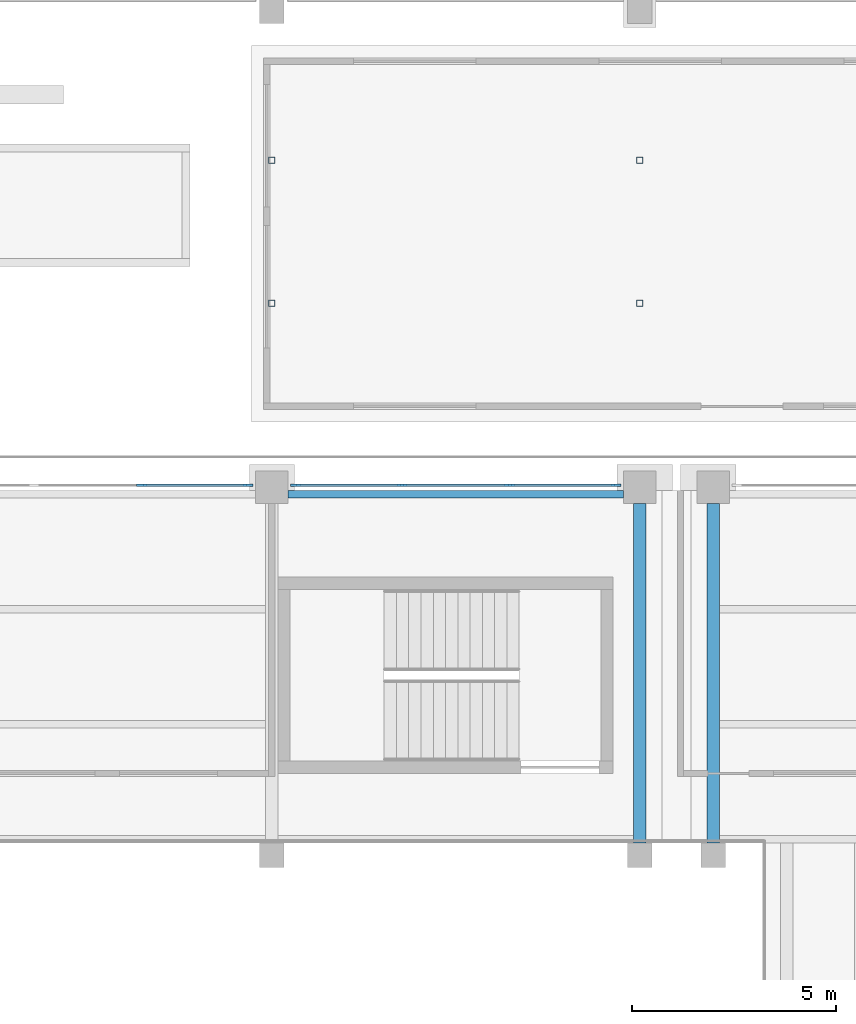
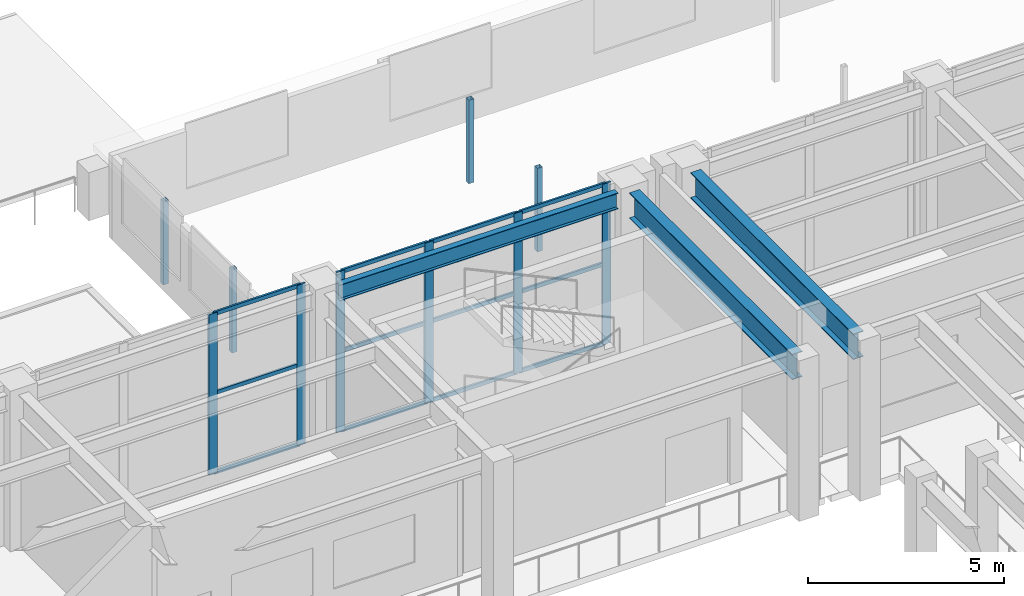
# One storey, part 18 of 67: 22 members, 3 beams, 2 elements without a shape of their own.
"""IFC4 building model written with IfcOpenShell, lengths in metres."""

from ifc_helpers import new_model, si_unit, direction, frame, origin, origin_2d, place, context, subcontext, project, spatial, rectangle, hollow_rectangle, i_section, extrude, material, material_profile, profile_set, type_object, element, aggregate, save


model = new_model("IFC4")

# Units and contexts
model_context = context("Model", 3, precision=1e-05, world=origin(), true_north=direction((0.0, 1.0)))
body_context = subcontext(model_context, "Body", "Model", "MODEL_VIEW")
ifc_project = project(units=[si_unit("LENGTHUNIT", "METRE"), si_unit("AREAUNIT", "SQUARE_METRE"), si_unit("VOLUMEUNIT", "CUBIC_METRE"), si_unit("PLANEANGLEUNIT", "RADIAN"), si_unit("MASSUNIT", "GRAM", prefix="KILO")], contexts=[model_context])

# Site, building, storey
site_placement = place(None, origin())
site = spatial("IfcSite", under=ifc_project, at=site_placement, CompositionType="ELEMENT")
building_placement = place(site_placement, origin())
building = spatial("IfcBuilding", under=site, at=building_placement, Name="Aravalli Gate Trade Fair Centre", CompositionType="ELEMENT")
storey_placement = place(building_placement, frame((0.0, 0.0, 5.0)))
storey = spatial("IfcBuildingStorey", under=building, at=storey_placement, Name="L01", CompositionType="ELEMENT", Elevation=5.0)

# Curtain wall, members
ifc_material_1 = material(Name="Aluminium and glass", Category="aluminium")
curtain_wall_type = type_object("IfcCurtainWallType", Name="Curtain wall 3000 module, tall", PredefinedType="NOTDEFINED", material=ifc_material_1)
curtain_wall_1_placement = place(storey_placement, origin())
curtain_wall_1 = element("IfcCurtainWall", 1, at=curtain_wall_1_placement, inside=storey, type_object=curtain_wall_type, Name="Curtain wall north bay 10 L01", PredefinedType="NOTDEFINED")
ifc_material_2 = material(Name="Aluminium", Category="aluminium")
ifc_material_profile_1 = material_profile(ifc_material_2, rectangle(XDim=0.06005859375, YDim=0.25, at=origin_2d()), Name="Concourse curtain wall mullion 60 x 250")
ifc_profile_set_1 = profile_set([ifc_material_profile_1], Name="Aluminium")
member_type_1 = type_object("IfcMemberType", Name="Concourse curtain wall mullion 60 x 250", PredefinedType="MULLION", material=ifc_profile_set_1)
member_1_placement = place(storey_placement, frame((92.816650390625, 133.044921875, 0.0), z_axis=(0.0, 0.0, 1.0), x_axis=(0.0, 1.0, 0.0)))
member_1 = element("IfcMember", 2, at=member_1_placement, type_object=member_type_1, Name="CW3 mullion 3", PredefinedType="MULLION", context=body_context, shape_type="SweptSolid", body=[
    extrude(rectangle(XDim=0.06005859375, YDim=0.25, at=origin_2d()), origin(), (0.0, 0.0, 1.0), 5.0),
])
member_2_placement = place(storey_placement, frame((95.419921875, 133.044921875, 0.0), z_axis=(0.0, 0.0, 1.0), x_axis=(0.0, 1.0, 0.0)))
member_2 = element("IfcMember", 3, at=member_2_placement, type_object=member_type_1, Name="CW3 mullion 4", PredefinedType="MULLION", context=body_context, shape_type="SweptSolid", body=[
    extrude(rectangle(XDim=0.06005859375, YDim=0.25, at=origin_2d()), origin(), (0.0, 0.0, 1.0), 5.0),
])

curtain_wall_2_placement = place(storey_placement, origin())
curtain_wall_2 = element("IfcCurtainWall", 4, at=curtain_wall_2_placement, inside=storey, type_object=curtain_wall_type, Name="Curtain wall north bay 11 L01", PredefinedType="NOTDEFINED")
member_3_placement = place(storey_placement, frame((96.580078125, 133.044921875, 0.0), z_axis=(0.0, 0.0, 1.0), x_axis=(0.0, 1.0, 0.0)))
member_3 = element("IfcMember", 5, at=member_3_placement, type_object=member_type_1, Name="CW3 mullion 1", PredefinedType="MULLION", context=body_context, shape_type="SweptSolid", body=[
    extrude(rectangle(XDim=0.06005859375, YDim=0.25, at=origin_2d()), origin(), (0.0, 0.0, 1.0), 5.0),
])
member_4_placement = place(storey_placement, frame((99.183349609375, 133.044921875, 0.0), z_axis=(0.0, 0.0, 1.0), x_axis=(0.0, 1.0, 0.0)))
member_4 = element("IfcMember", 6, at=member_4_placement, type_object=member_type_1, Name="CW3 mullion 2", PredefinedType="MULLION", context=body_context, shape_type="SweptSolid", body=[
    extrude(rectangle(XDim=0.06005859375, YDim=0.25, at=origin_2d()), origin(), (0.0, 0.0, 1.0), 5.0),
])
member_5_placement = place(storey_placement, frame((101.816650390625, 133.044921875, 0.0), z_axis=(0.0, 0.0, 1.0), x_axis=(0.0, 1.0, 0.0)))
member_5 = element("IfcMember", 7, at=member_5_placement, type_object=member_type_1, Name="CW3 mullion 3", PredefinedType="MULLION", context=body_context, shape_type="SweptSolid", body=[
    extrude(rectangle(XDim=0.06005859375, YDim=0.25, at=origin_2d()), origin(), (0.0, 0.0, 1.0), 5.0),
])
member_6_placement = place(storey_placement, frame((104.419921875, 133.044921875, 0.0), z_axis=(0.0, 0.0, 1.0), x_axis=(0.0, 1.0, 0.0)))
member_6 = element("IfcMember", 8, at=member_6_placement, type_object=member_type_1, Name="CW3 mullion 4", PredefinedType="MULLION", context=body_context, shape_type="SweptSolid", body=[
    extrude(rectangle(XDim=0.06005859375, YDim=0.25, at=origin_2d()), origin(), (0.0, 0.0, 1.0), 5.0),
])

# Member
ifc_material_profile_2 = material_profile(ifc_material_2, rectangle(XDim=0.06005859375, YDim=0.1201171875, at=origin_2d()), Name="Concourse curtain wall transom 60 x 120")
ifc_profile_set_2 = profile_set([ifc_material_profile_2], Name="Aluminium")
member_type_2 = type_object("IfcMemberType", Name="Concourse curtain wall transom 60 x 120", PredefinedType="USERDEFINED", material=ifc_profile_set_2)
member_7_placement = place(storey_placement, frame((92.8466796875, 133.044921875, 0.030029296875), z_axis=(1.0, 0.0, 0.0), x_axis=(0.0, 1.0, 0.0)))
member_7 = element("IfcMember", 9, at=member_7_placement, type_object=member_type_2, Name="CW3 transom 3.1", ObjectType="TRANSOM", PredefinedType="USERDEFINED", context=body_context, shape_type="SweptSolid", body=[
    extrude(rectangle(XDim=0.06005859375, YDim=0.1201171875, at=origin_2d()), origin(), (0.0, 0.0, 1.0), 2.543212890625),
])

member_8_placement = place(storey_placement, frame((92.8466796875, 133.044921875, 2.5), z_axis=(1.0, 0.0, 0.0), x_axis=(0.0, 1.0, 0.0)))
member_8 = element("IfcMember", 10, at=member_8_placement, type_object=member_type_2, Name="CW3 transom 3.2", ObjectType="TRANSOM", PredefinedType="USERDEFINED", context=body_context, shape_type="SweptSolid", body=[
    extrude(rectangle(XDim=0.06005859375, YDim=0.1201171875, at=origin_2d()), origin(), (0.0, 0.0, 1.0), 2.543212890625),
])

member_9_placement = place(storey_placement, frame((92.8466796875, 133.044921875, 4.969970703125), z_axis=(1.0, 0.0, 0.0), x_axis=(0.0, 1.0, 0.0)))
member_9 = element("IfcMember", 11, at=member_9_placement, type_object=member_type_2, Name="CW3 transom 3.3", ObjectType="TRANSOM", PredefinedType="USERDEFINED", context=body_context, shape_type="SweptSolid", body=[
    extrude(rectangle(XDim=0.06005859375, YDim=0.1201171875, at=origin_2d()), origin(), (0.0, 0.0, 1.0), 2.543212890625),
])

aggregate(curtain_wall_1, [member_1, member_2, member_7, member_8, member_9])

member_10_placement = place(storey_placement, frame((96.610107421875, 133.044921875, 0.030029296875), z_axis=(1.0, 0.0, 0.0), x_axis=(0.0, 1.0, 0.0)))
member_10 = element("IfcMember", 12, at=member_10_placement, type_object=member_type_2, Name="CW3 transom 1.1", ObjectType="TRANSOM", PredefinedType="USERDEFINED", context=body_context, shape_type="SweptSolid", body=[
    extrude(rectangle(XDim=0.06005859375, YDim=0.1201171875, at=origin_2d()), origin(), (0.0, 0.0, 1.0), 2.543212890625),
])

member_11_placement = place(storey_placement, frame((96.610107421875, 133.044921875, 2.5), z_axis=(1.0, 0.0, 0.0), x_axis=(0.0, 1.0, 0.0)))
member_11 = element("IfcMember", 13, at=member_11_placement, type_object=member_type_2, Name="CW3 transom 1.2", ObjectType="TRANSOM", PredefinedType="USERDEFINED", context=body_context, shape_type="SweptSolid", body=[
    extrude(rectangle(XDim=0.06005859375, YDim=0.1201171875, at=origin_2d()), origin(), (0.0, 0.0, 1.0), 2.543212890625),
])

member_12_placement = place(storey_placement, frame((96.610107421875, 133.044921875, 4.969970703125), z_axis=(1.0, 0.0, 0.0), x_axis=(0.0, 1.0, 0.0)))
member_12 = element("IfcMember", 14, at=member_12_placement, type_object=member_type_2, Name="CW3 transom 1.3", ObjectType="TRANSOM", PredefinedType="USERDEFINED", context=body_context, shape_type="SweptSolid", body=[
    extrude(rectangle(XDim=0.06005859375, YDim=0.1201171875, at=origin_2d()), origin(), (0.0, 0.0, 1.0), 2.543212890625),
])

member_13_placement = place(storey_placement, frame((99.21337890625, 133.044921875, 0.030029296875), z_axis=(1.0, 0.0, 0.0), x_axis=(0.0, 1.0, 0.0)))
member_13 = element("IfcMember", 15, at=member_13_placement, type_object=member_type_2, Name="CW3 transom 2.1", ObjectType="TRANSOM", PredefinedType="USERDEFINED", context=body_context, shape_type="SweptSolid", body=[
    extrude(rectangle(XDim=0.06005859375, YDim=0.1201171875, at=origin_2d()), origin(), (0.0, 0.0, 1.0), 2.5732421875),
])

member_14_placement = place(storey_placement, frame((99.21337890625, 133.044921875, 2.5), z_axis=(1.0, 0.0, 0.0), x_axis=(0.0, 1.0, 0.0)))
member_14 = element("IfcMember", 16, at=member_14_placement, type_object=member_type_2, Name="CW3 transom 2.2", ObjectType="TRANSOM", PredefinedType="USERDEFINED", context=body_context, shape_type="SweptSolid", body=[
    extrude(rectangle(XDim=0.06005859375, YDim=0.1201171875, at=origin_2d()), origin(), (0.0, 0.0, 1.0), 2.5732421875),
])

member_15_placement = place(storey_placement, frame((99.21337890625, 133.044921875, 4.969970703125), z_axis=(1.0, 0.0, 0.0), x_axis=(0.0, 1.0, 0.0)))
member_15 = element("IfcMember", 17, at=member_15_placement, type_object=member_type_2, Name="CW3 transom 2.3", ObjectType="TRANSOM", PredefinedType="USERDEFINED", context=body_context, shape_type="SweptSolid", body=[
    extrude(rectangle(XDim=0.06005859375, YDim=0.1201171875, at=origin_2d()), origin(), (0.0, 0.0, 1.0), 2.5732421875),
])

member_16_placement = place(storey_placement, frame((101.8466796875, 133.044921875, 0.030029296875), z_axis=(1.0, 0.0, 0.0), x_axis=(0.0, 1.0, 0.0)))
member_16 = element("IfcMember", 18, at=member_16_placement, type_object=member_type_2, Name="CW3 transom 3.1", ObjectType="TRANSOM", PredefinedType="USERDEFINED", context=body_context, shape_type="SweptSolid", body=[
    extrude(rectangle(XDim=0.06005859375, YDim=0.1201171875, at=origin_2d()), origin(), (0.0, 0.0, 1.0), 2.543212890625),
])

member_17_placement = place(storey_placement, frame((101.8466796875, 133.044921875, 2.5), z_axis=(1.0, 0.0, 0.0), x_axis=(0.0, 1.0, 0.0)))
member_17 = element("IfcMember", 19, at=member_17_placement, type_object=member_type_2, Name="CW3 transom 3.2", ObjectType="TRANSOM", PredefinedType="USERDEFINED", context=body_context, shape_type="SweptSolid", body=[
    extrude(rectangle(XDim=0.06005859375, YDim=0.1201171875, at=origin_2d()), origin(), (0.0, 0.0, 1.0), 2.543212890625),
])

member_18_placement = place(storey_placement, frame((101.8466796875, 133.044921875, 4.969970703125), z_axis=(1.0, 0.0, 0.0), x_axis=(0.0, 1.0, 0.0)))
member_18 = element("IfcMember", 20, at=member_18_placement, type_object=member_type_2, Name="CW3 transom 3.3", ObjectType="TRANSOM", PredefinedType="USERDEFINED", context=body_context, shape_type="SweptSolid", body=[
    extrude(rectangle(XDim=0.06005859375, YDim=0.1201171875, at=origin_2d()), origin(), (0.0, 0.0, 1.0), 2.543212890625),
])

aggregate(curtain_wall_2, [member_3, member_4, member_5, member_6, member_10, member_11, member_12, member_13, member_14, member_15, member_16, member_17, member_18])

# Beams
ifc_material_3 = material(Name="Steel E350", Category="steel")
ifc_material_profile_3 = material_profile(ifc_material_3, i_section(OverallWidth=0.179931640625, OverallDepth=0.5, WebThickness=0.01025390625, FlangeThickness=0.01708984375, at=origin_2d()), Name="ISMB 500")
ifc_profile_set_3 = profile_set([ifc_material_profile_3], Name="Steel E350")
beam_type_1 = type_object("IfcBeamType", Name="ISMB 500 gallery secondary beam", PredefinedType="JOIST", material=ifc_profile_set_3)
beam_placement = place(storey_placement, frame((96.39990234375, 132.830078125, 4.550048828125), z_axis=(1.0, 0.0, 0.0), x_axis=(0.0, 1.0, 0.0)))
element("IfcBeam", 21, at=beam_placement, inside=storey, type_object=beam_type_1, Name="Gallery beam N5 11-12 L02", PredefinedType="JOIST", context=body_context, shape_type="SweptSolid", body=[
    extrude(i_section(OverallWidth=0.179931640625, OverallDepth=0.5, WebThickness=0.01025390625, FlangeThickness=0.01708984375, at=origin_2d()), origin(), (0.0, 0.0, 1.0), 8.2001953125),
])
ifc_material_profile_4 = material_profile(ifc_material_3, i_section(OverallWidth=0.300048828125, OverallDepth=0.800048828125, WebThickness=0.011962890625, FlangeThickness=0.02490234375, at=origin_2d()), Name="PG 800x300x12x25")
ifc_profile_set_4 = profile_set([ifc_material_profile_4], Name="Steel E350")
beam_type_2 = type_object("IfcBeamType", Name="PG 800x300x12x25 gallery plate girder", PredefinedType="BEAM", material=ifc_profile_set_4)
for number, where, z_axis, x_axis, name in (
    (22, (105.0, 124.300048828125, 4.39990234375), (0.0, 1.0, 0.0), (-1.0, 0.0, 0.0), "Gallery girder N12 L02"),
    (23, (106.800048828125, 124.300048828125, 4.39990234375), (0.0, 1.0, 0.0), (-1.0, 0.0, 0.0), "Gallery girder N12A L02"),
):
    element("IfcBeam", number, at=place(storey_placement, frame(where, z_axis=z_axis, x_axis=x_axis)), inside=storey, type_object=beam_type_2, Name=name, PredefinedType="BEAM", context=body_context, shape_type="SweptSolid", body=[
        extrude(i_section(OverallWidth=0.300048828125, OverallDepth=0.800048828125, WebThickness=0.011962890625, FlangeThickness=0.02490234375, at=origin_2d()), origin(), (0.0, 0.0, 1.0), 8.300048828125),
    ])

# Members
ifc_material_profile_5 = material_profile(ifc_material_3, hollow_rectangle(XDim=0.14990234375, YDim=0.14990234375, WallThickness=0.006103515625, at=origin_2d()), Name="SHS 150x150x6")
ifc_profile_set_5 = profile_set([ifc_material_profile_5], Name="Steel E350")
member_type_3 = type_object("IfcMemberType", Name="SHS 150x150x6 terrace pavilion post", PredefinedType="POST", material=ifc_profile_set_5)
for number, where, z_axis, x_axis, name in (
    (24, (96.0, 137.5, 0.0), (0.0, 0.0, 1.0), (1.0, 0.0, 0.0), "Terrace pavilion post 96.1"),
    (25, (96.0, 141.0, 0.0), (0.0, 0.0, 1.0), (1.0, 0.0, 0.0), "Terrace pavilion post 96.2"),
    (26, (105.0, 137.5, 0.0), (0.0, 0.0, 1.0), (1.0, 0.0, 0.0), "Terrace pavilion post 105.1"),
    (27, (105.0, 141.0, 0.0), (0.0, 0.0, 1.0), (1.0, 0.0, 0.0), "Terrace pavilion post 105.2"),
):
    element("IfcMember", number, at=place(storey_placement, frame(where, z_axis=z_axis, x_axis=x_axis)), inside=storey, type_object=member_type_3, Name=name, PredefinedType="POST", context=body_context, shape_type="SweptSolid", body=[
        extrude(hollow_rectangle(XDim=0.14990234375, YDim=0.14990234375, WallThickness=0.006103515625, at=origin_2d()), origin(), (0.0, 0.0, 1.0), 2.60009765625),
    ])

save(model, "model.ifc")
